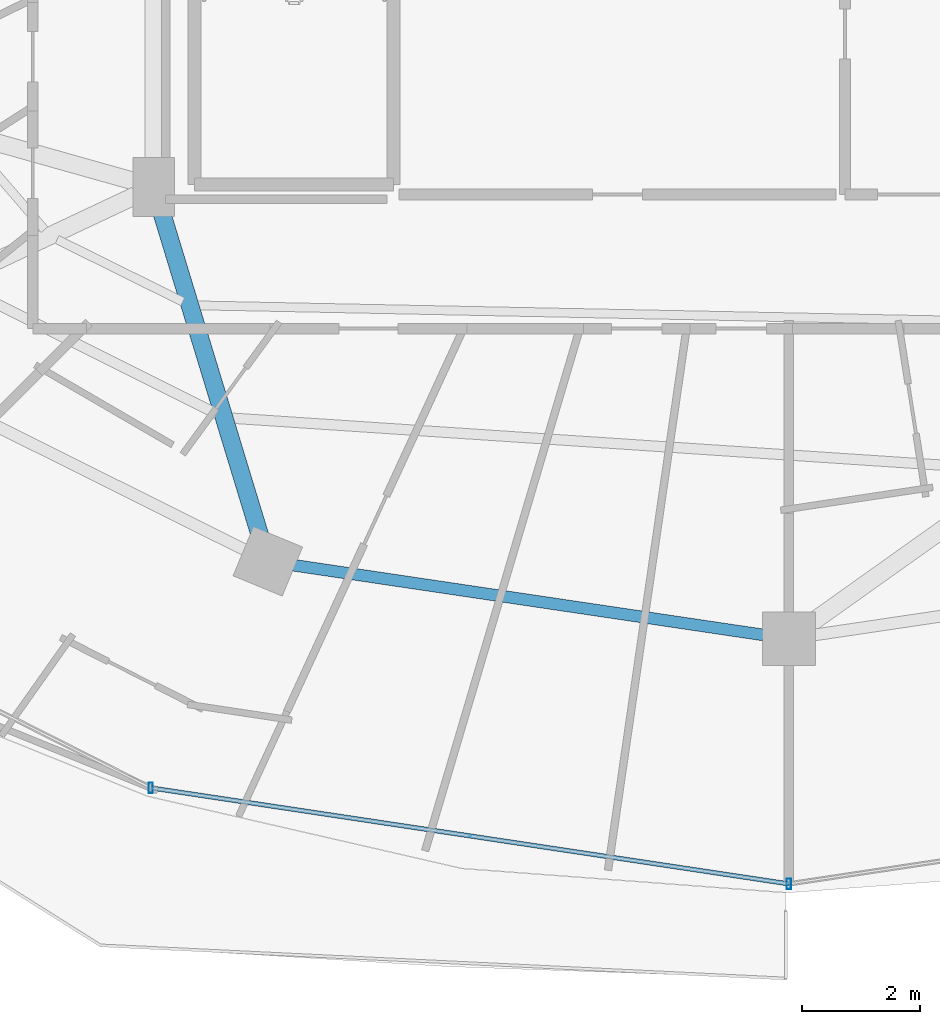
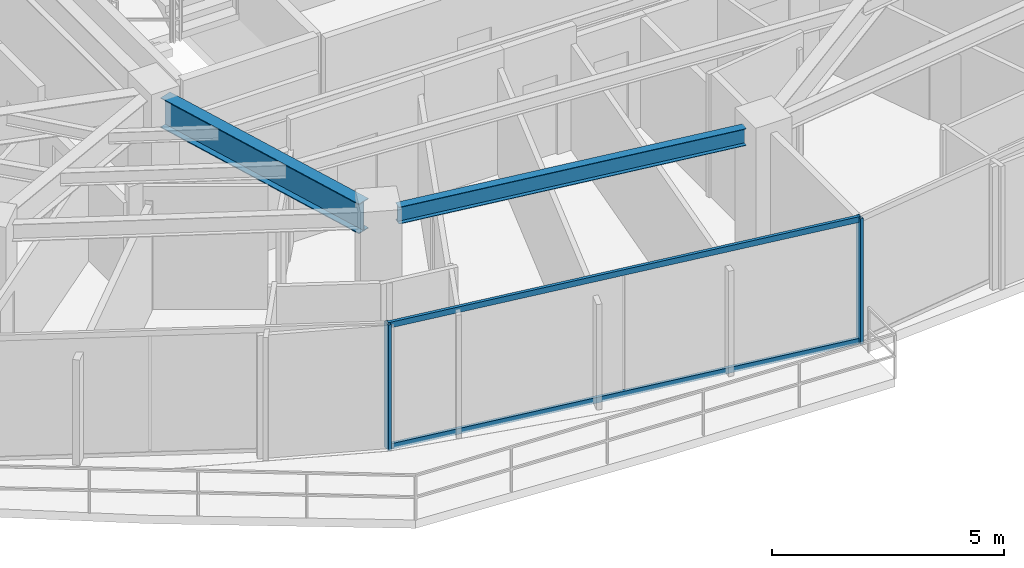
# One storey, part 5 of 34: 4 members, 2 beams, 1 element without a shape of its own.
"""IFC4 building model written with IfcOpenShell, lengths in metres."""

from ifc_helpers import new_model, si_unit, direction, frame, origin, origin_2d, place, context, subcontext, project, spatial, hollow_rectangle, i_section, extrude, material, material_profile, profile_set, type_object, element, aggregate, save


model = new_model("IFC4")

# Units and contexts
model_context = context("Model", 3, precision=1e-05, world=origin(), true_north=direction((0.0, 1.0)))
body_context = subcontext(model_context, "Body", "Model", "MODEL_VIEW")
ifc_project = project(units=[si_unit("LENGTHUNIT", "METRE"), si_unit("AREAUNIT", "SQUARE_METRE"), si_unit("VOLUMEUNIT", "CUBIC_METRE"), si_unit("PLANEANGLEUNIT", "RADIAN"), si_unit("MASSUNIT", "GRAM", prefix="KILO")], contexts=[model_context])

# Site, building, storey
site_placement = place(None, origin())
site = spatial("IfcSite", under=ifc_project, at=site_placement, CompositionType="ELEMENT")
building_placement = place(site_placement, origin())
building = spatial("IfcBuilding", under=site, at=building_placement, Name="Vorneva Point Tower", CompositionType="ELEMENT")
storey_placement = place(building_placement, frame((0.0, 0.0, 182.60009765625)))
storey = spatial("IfcBuildingStorey", under=building, at=storey_placement, Name="L49", CompositionType="ELEMENT", Elevation=182.60009765625)

# Beams
ifc_material_1 = material(Name="Steel S355", Category="steel")
ifc_material_profile_1 = material_profile(ifc_material_1, i_section(OverallWidth=0.300048828125, OverallDepth=0.7880859375, WebThickness=0.014404296875, FlangeThickness=0.02197265625, at=origin_2d()), Name="80Sh1")
ifc_profile_set_1 = profile_set([ifc_material_profile_1], Name="Steel S355")
beam_type_1 = type_object("IfcBeamType", Name="BM-GRD-80Sh1", PredefinedType="USERDEFINED", material=ifc_profile_set_1)
beam_1_placement = place(storey_placement, frame((29.051513671875, 10.5283203125, 2.845947265625), z_axis=(-0.291025429135, 0.956715317948, 0.0), x_axis=(-0.956715317948, -0.291025429135, 0.0)))
element("IfcBeam", 1, at=beam_1_placement, inside=storey, type_object=beam_type_1, Name="L49 Radial Primary Girder 12", ObjectType="GIRDER", PredefinedType="USERDEFINED", context=body_context, shape_type="SweptSolid", body=[
    extrude(i_section(OverallWidth=0.300048828125, OverallDepth=0.7880859375, WebThickness=0.014404296875, FlangeThickness=0.02197265625, at=origin_2d()), origin(), (0.0, 0.0, 1.0), 5.849609375),
])
ifc_material_profile_2 = material_profile(ifc_material_1, i_section(OverallWidth=0.198974609375, OverallDepth=0.446044921875, WebThickness=0.008056640625, FlangeThickness=0.011962890625, at=origin_2d()), Name="45B1")
ifc_profile_set_2 = profile_set([ifc_material_profile_2], Name="Steel S355")
beam_type_2 = type_object("IfcBeamType", Name="BM-SPN-45B1", PredefinedType="SPANDREL", material=ifc_profile_set_2)
beam_2_placement = place(storey_placement, frame((29.609375, 10.04541015625, 3.016845703125), z_axis=(0.989165476332, -0.146804837907, 0.0), x_axis=(0.146804837907, 0.989165476332, 0.0)))
element("IfcBeam", 2, at=beam_2_placement, inside=storey, type_object=beam_type_2, Name="L49 Perimeter Spandrel Ring Beam 12", PredefinedType="SPANDREL", context=body_context, shape_type="SweptSolid", body=[
    extrude(i_section(OverallWidth=0.198974609375, OverallDepth=0.446044921875, WebThickness=0.008056640625, FlangeThickness=0.011962890625, at=origin_2d()), origin(), (0.0, 0.0, 1.0), 8.04736328125),
])

# Curtain wall, members
ifc_material_2 = material(Name="Pale anodised aluminium", Category="aluminium")
curtain_wall_type = type_object("IfcCurtainWallType", Name="CW-RES-SYS", PredefinedType="NOTDEFINED", material=ifc_material_2)
curtain_wall_placement = place(storey_placement, origin())
curtain_wall = element("IfcCurtainWall", 3, at=curtain_wall_placement, inside=storey, type_object=curtain_wall_type, Name="L49 Unitised Curtain Wall CW-L49-R03", PredefinedType="NOTDEFINED")
ifc_material_profile_3 = material_profile(ifc_material_2, hollow_rectangle(XDim=0.074951171875, YDim=0.179931640625, WallThickness=0.00390625, at=origin_2d()), Name="AL-MUL 180x75x4")
ifc_profile_set_3 = profile_set([ifc_material_profile_3], Name="Pale anodised aluminium")
member_type_1 = type_object("IfcMemberType", Name="CW-MUL-180", PredefinedType="MULLION", material=ifc_profile_set_3)
member_1_placement = place(storey_placement, frame((27.19677734375, 6.275146484375, -0.0400390625), z_axis=(0.0, 0.0, 1.0), x_axis=(1.0, 0.0, 0.0)))
member_1 = element("IfcMember", 4, at=member_1_placement, type_object=member_type_1, Name="CW-L49-R03 Mullion 03", PredefinedType="MULLION", context=body_context, shape_type="SweptSolid", body=[
    extrude(hollow_rectangle(XDim=0.074951171875, YDim=0.179931640625, WallThickness=0.00390625, at=origin_2d()), origin(), (0.0, 0.0, 1.0), 3.31005859375),
])
member_2_placement = place(storey_placement, frame((38.0, 4.64990234375, -0.0400390625), z_axis=(0.0, 0.0, 1.0), x_axis=(1.0, 0.0, 0.0)))
member_2 = element("IfcMember", 5, at=member_2_placement, type_object=member_type_1, Name="CW-L49-R03 Mullion 04", PredefinedType="MULLION", context=body_context, shape_type="SweptSolid", body=[
    extrude(hollow_rectangle(XDim=0.074951171875, YDim=0.179931640625, WallThickness=0.00390625, at=origin_2d()), origin(), (0.0, 0.0, 1.0), 3.31005859375),
])
ifc_material_profile_4 = material_profile(ifc_material_2, hollow_rectangle(XDim=0.074951171875, YDim=0.14990234375, WallThickness=0.00390625, at=origin_2d()), Name="AL-TRN 150x75x4")
ifc_profile_set_4 = profile_set([ifc_material_profile_4], Name="Pale anodised aluminium")
member_type_2 = type_object("IfcMemberType", Name="CW-TRN-150", PredefinedType="USERDEFINED", material=ifc_profile_set_4)
member_3_placement = place(storey_placement, frame((27.19677734375, 6.275146484375, 0.02001953125), z_axis=(0.988872333273, -0.148766624239, 0.0), x_axis=(0.148766624239, 0.988872333273, 0.0)))
member_3 = element("IfcMember", 6, at=member_3_placement, type_object=member_type_2, Name="CW-L49-R03 Transom 03.1", ObjectType="TRANSOM", PredefinedType="USERDEFINED", context=body_context, shape_type="SweptSolid", body=[
    extrude(hollow_rectangle(XDim=0.074951171875, YDim=0.14990234375, WallThickness=0.00390625, at=origin_2d()), origin(), (0.0, 0.0, 1.0), 10.9248046875),
])
member_4_placement = place(storey_placement, frame((27.19677734375, 6.275146484375, 3.219970703125), z_axis=(0.988872333273, -0.148766624239, 0.0), x_axis=(0.148766624239, 0.988872333273, 0.0)))
member_4 = element("IfcMember", 7, at=member_4_placement, type_object=member_type_2, Name="CW-L49-R03 Transom 03.2", ObjectType="TRANSOM", PredefinedType="USERDEFINED", context=body_context, shape_type="SweptSolid", body=[
    extrude(hollow_rectangle(XDim=0.074951171875, YDim=0.14990234375, WallThickness=0.00390625, at=origin_2d()), origin(), (0.0, 0.0, 1.0), 10.9248046875),
])
aggregate(curtain_wall, [member_1, member_2, member_3, member_4])

save(model, "model.ifc")
